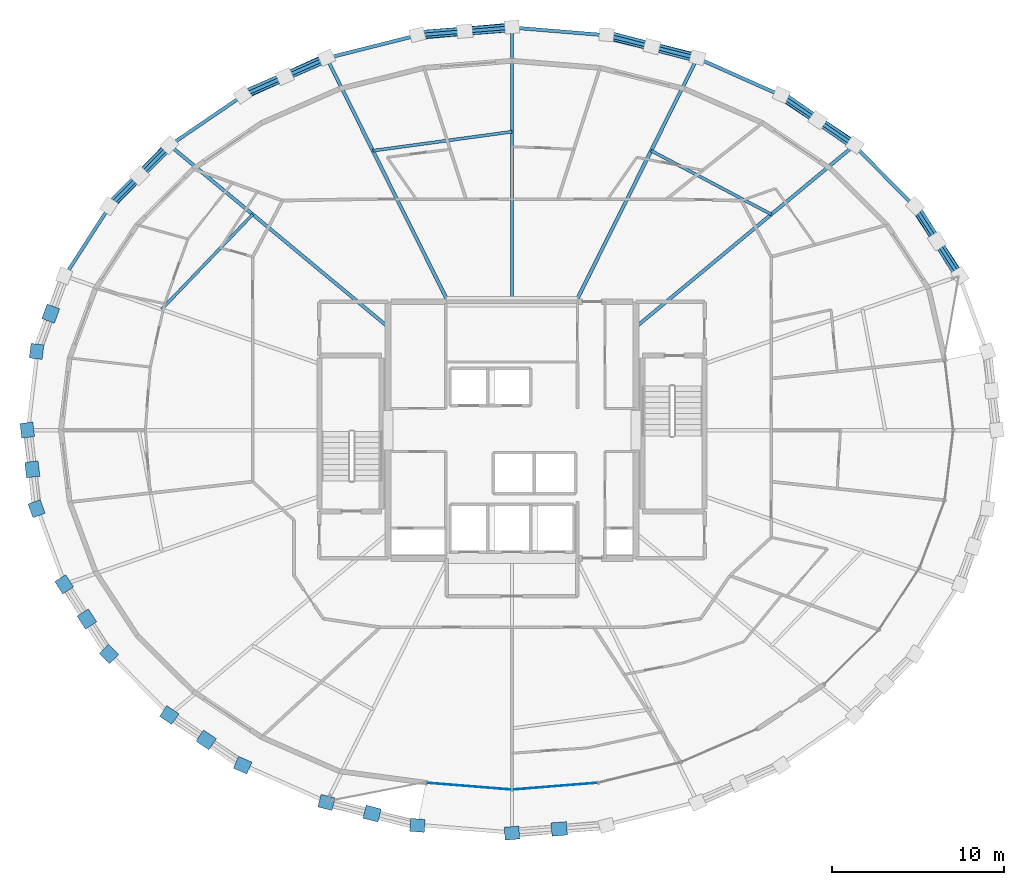
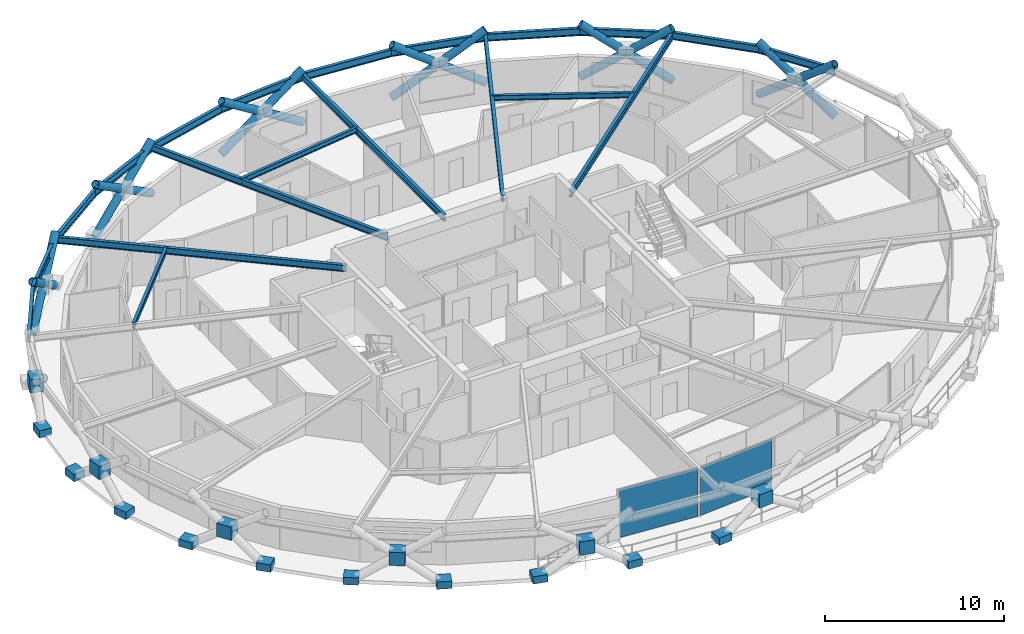
# One storey, part 12 of 19: 20 beams, 18 members, 18 plates, 1 element without a shape of its own.
"""IFC4 building model written with IfcOpenShell, lengths in metres."""

import ifcopenshell
import ifcopenshell.guid

model = None  # the IFC model being written
_history = None  # IfcOwnerHistory: only IFC2X3 demands one
_inside = {}  # id of a spatial element -> (the spatial element, [elements in it])
_under = {}  # id of a project, library or spatial element -> (it, [spatial elements below it])
_declared = {}  # id of a project -> (the project, [libraries it declares])
_typed = {}  # id of a type object -> (the type object, [elements of that type])
_made_of = {}  # id of a material, layer set ... -> (it, [elements and type objects made of it])


def new_model(schema):
    """Start an empty IFC model of exactly this schema.

    Asked for "IFC4X3", IfcOpenShell would pick the latest addendum, in which some entities
    have other attributes; the version numbers below select the first issue.
    IFC2X3 requires an IfcOwnerHistory on every rooted entity: one is made here for all.
    """
    global model, _history
    if schema == "IFC4X3":
        model = ifcopenshell.file(schema_version=(4, 3, 0, 0))
    else:
        model = ifcopenshell.file(schema=schema)
    _inside.clear()
    _under.clear()
    _declared.clear()
    _typed.clear()
    _made_of.clear()
    _history = None
    if model.schema == "IFC2X3":
        org = make("IfcOrganization", Name="unknown")
        user = make(
            "IfcPersonAndOrganization",
            ThePerson=make("IfcPerson", FamilyName="unknown"),
            TheOrganization=org,
        )
        app = make(
            "IfcApplication",
            ApplicationDeveloper=org,
            Version="unknown",
            ApplicationFullName="unknown",
            ApplicationIdentifier="unknown",
        )
        _history = make(
            "IfcOwnerHistory",
            OwningUser=user,
            OwningApplication=app,
            ChangeAction="ADDED",
            CreationDate=0,
        )
    return model


def make(cls, **values):
    """One entity of the class cls with the attributes given. An attribute that is None is left unset."""
    return model.create_entity(
        cls, **{name: value for name, value in values.items() if value is not None}
    )


def rooted(cls, **values):
    """An entity with a GlobalId (a new one), such as an element, a storey or a relation."""
    return make(cls, GlobalId=ifcopenshell.guid.new(), OwnerHistory=_history, **values)


def si_unit(unit_type, name, prefix=None):
    """IfcSIUnit, for example si_unit("LENGTHUNIT", "METRE", prefix="MILLI")."""
    return make("IfcSIUnit", UnitType=unit_type, Prefix=prefix, Name=name)


def assignment(units):
    """IfcUnitAssignment: the units of a project."""
    return None if units is None else make("IfcUnitAssignment", Units=units)


def point(xyz):
    """IfcCartesianPoint."""
    return None if xyz is None else make("IfcCartesianPoint", Coordinates=xyz)


def direction(xyz):
    """IfcDirection."""
    return None if xyz is None else make("IfcDirection", DirectionRatios=xyz)


def frame(location, z_axis=None, x_axis=None):
    """IfcAxis2Placement3D, a coordinate frame: its origin and axes. An axis left out is left unset."""
    return make(
        "IfcAxis2Placement3D",
        Location=point(location),
        Axis=direction(z_axis),
        RefDirection=direction(x_axis),
    )


def frame_2d(location, x_axis=None):
    """IfcAxis2Placement2D, a coordinate frame in the plane: its origin and x axis."""
    return make(
        "IfcAxis2Placement2D", Location=point(location), RefDirection=direction(x_axis)
    )


def origin():
    """The frame at (0, 0, 0) with its axes left unset."""
    return frame((0.0, 0.0, 0.0))


def origin_2d():
    """The frame at (0, 0) in the plane with its x axis left unset."""
    return frame_2d((0.0, 0.0))


def place(relative_to, where):
    """IfcLocalPlacement: puts the frame where relative to a parent placement (None: the world)."""
    return make(
        "IfcLocalPlacement", PlacementRelTo=relative_to, RelativePlacement=where
    )


def context(
    kind, dimensions, precision=None, world=None, true_north=None, identifier=None
):
    """IfcGeometricRepresentationContext, for example the 3D "Model" context."""
    return make(
        "IfcGeometricRepresentationContext",
        ContextIdentifier=identifier,
        ContextType=kind,
        CoordinateSpaceDimension=dimensions,
        Precision=precision,
        WorldCoordinateSystem=world,
        TrueNorth=true_north,
    )


def subcontext(parent, identifier, kind, view, scale=None):
    """IfcGeometricRepresentationSubContext, for example "Body" below "Model"."""
    return make(
        "IfcGeometricRepresentationSubContext",
        ContextIdentifier=identifier,
        ContextType=kind,
        ParentContext=parent,
        TargetScale=scale,
        TargetView=view,
    )


def project(units=None, contexts=None):
    """IfcProject with its units and contexts."""
    return rooted(
        "IfcProject",
        Name="project",
        RepresentationContexts=contexts,
        UnitsInContext=assignment(units),
    )


def spatial(cls, under=None, at=None, **own):
    """A site, building, storey or space (cls), placed at a placement, below another one or the project."""
    s = rooted(cls, ObjectPlacement=at, **own)
    if under is not None:
        _under.setdefault(under.id(), (under, []))[1].append(s)
    return s


def profile(cls, at=None, kind="AREA", **sizes):
    """A parametric profile (cls). Its sizes go by their IFC names, for example OverallWidth=200.0."""
    return make(cls, ProfileType=kind, Position=at, **sizes)


def rectangle(**sizes):
    """IfcRectangleProfileDef."""
    return profile("IfcRectangleProfileDef", **sizes)


def hollow_circle(**sizes):
    """IfcCircleHollowProfileDef."""
    return profile("IfcCircleHollowProfileDef", **sizes)


def i_section(**sizes):
    """IfcIShapeProfileDef."""
    return profile("IfcIShapeProfileDef", **sizes)


def extrude(swept, where, along, depth):
    """IfcExtrudedAreaSolid: the profile swept, set in the frame where, extruded along a direction by depth."""
    return make(
        "IfcExtrudedAreaSolid",
        SweptArea=swept,
        Position=where,
        ExtrudedDirection=direction(along),
        Depth=depth,
    )


def shape(context_of_items, identifier, shape_type, items):
    """IfcShapeRepresentation: the items that make up one representation, for example the "Body"."""
    return make(
        "IfcShapeRepresentation",
        ContextOfItems=context_of_items,
        RepresentationIdentifier=identifier,
        RepresentationType=shape_type,
        Items=items,
    )


def material(Name=None, Category=None):
    """IfcMaterial."""
    return make("IfcMaterial", Name=Name, Category=Category)


def layer(
    of_material, thickness, ventilated=None, Name=None, Category=None, Priority=None
):
    """IfcMaterialLayer: one layer of a wall or slab, of a material (None: an air gap)."""
    return make(
        "IfcMaterialLayer",
        Material=of_material,
        LayerThickness=thickness,
        IsVentilated=ventilated,
        Name=Name,
        Category=Category,
        Priority=Priority,
    )


def layer_set(layers, Name=None):
    """IfcMaterialLayerSet."""
    return make("IfcMaterialLayerSet", MaterialLayers=layers, LayerSetName=Name)


def material_profile(
    of_material, cross_section, Name=None, Category=None, Priority=None
):
    """IfcMaterialProfile: a cross section and its material."""
    return make(
        "IfcMaterialProfile",
        Name=Name,
        Material=of_material,
        Profile=cross_section,
        Priority=Priority,
        Category=Category,
    )


def profile_set(profiles, Name=None, composite=None):
    """IfcMaterialProfileSet."""
    return make(
        "IfcMaterialProfileSet",
        Name=Name,
        MaterialProfiles=profiles,
        CompositeProfile=composite,
    )


def made_of(thing, what):
    """Note that an element or type object is made of a material, layer set ...; save() writes the relation."""
    if what is not None:
        _made_of.setdefault(what.id(), (what, []))[1].append(thing)
    return thing


def type_object(cls, material=None, **own):
    """A type object (cls), such as IfcWallType, which elements share."""
    return made_of(rooted(cls, **own), material)


def element(
    cls,
    number,
    at=None,
    inside=None,
    cuts=None,
    type_object=None,
    material=None,
    context=None,
    identifier="Body",
    shape_type=None,
    held_by="IfcProductDefinitionShape",
    body=None,
    shapes=None,
    **own,
):
    """One element of the class cls, such as IfcWall. Its Tag is "e" and its number.

    at: its placement. inside: the storey or other place that contains it. cuts: it is an
    opening in that element (IfcRelVoidsElement). A single representation is given by context,
    identifier, shape_type and body (its items); several are given by shapes. held_by: the class
    of the entity that holds the representations. save() writes the other relations.
    """
    e = rooted(cls, Tag="e%d" % number, ObjectPlacement=at, **own)
    if body is not None:
        shapes = [shape(context, identifier, shape_type, body)]
    if shapes is not None:
        e.Representation = make(held_by, Representations=shapes)
    if inside is not None:
        _inside.setdefault(inside.id(), (inside, []))[1].append(e)
    if cuts is not None:
        rooted(
            "IfcRelVoidsElement", RelatingBuildingElement=cuts, RelatedOpeningElement=e
        )
    if type_object is not None:
        _typed.setdefault(type_object.id(), (type_object, []))[1].append(e)
    return made_of(e, material)


def aggregate(whole, parts):
    """IfcRelAggregates: a whole, such as a stair, and the parts it consists of."""
    return rooted("IfcRelAggregates", RelatingObject=whole, RelatedObjects=parts)


def save(model, path):
    """Write the relations noted so far, then the file.

    IfcRelAggregates (storeys below a building ...), IfcRelContainedInSpatialStructure (elements
    in a storey), IfcRelDefinesByType, IfcRelAssociatesMaterial and IfcRelDeclares: one each for
    every whole, place, type object, material and project.
    """
    for whole, parts in _under.values():
        aggregate(whole, parts)
    for where, things in _inside.values():
        rooted(
            "IfcRelContainedInSpatialStructure",
            RelatedElements=things,
            RelatingStructure=where,
        )
    for kind, things in _typed.values():
        rooted("IfcRelDefinesByType", RelatedObjects=things, RelatingType=kind)
    for what, things in _made_of.values():
        rooted("IfcRelAssociatesMaterial", RelatedObjects=things, RelatingMaterial=what)
    for by, libraries in _declared.values():
        rooted("IfcRelDeclares", RelatingContext=by, RelatedDefinitions=libraries)
    model.write(path)


model = new_model("IFC4")

# Units and contexts
model_context = context("Model", 3, precision=1e-05, world=origin(), true_north=direction((0.0, 1.0)))
body_context = subcontext(model_context, "Body", "Model", "MODEL_VIEW")
ifc_project = project(units=[si_unit("LENGTHUNIT", "METRE"), si_unit("AREAUNIT", "SQUARE_METRE"), si_unit("VOLUMEUNIT", "CUBIC_METRE"), si_unit("PLANEANGLEUNIT", "RADIAN"), si_unit("MASSUNIT", "GRAM", prefix="KILO")], contexts=[model_context])

# Site, building, storey
site_placement = place(None, origin())
site = spatial("IfcSite", under=ifc_project, at=site_placement, CompositionType="ELEMENT")
building_placement = place(site_placement, origin())
building = spatial("IfcBuilding", under=site, at=building_placement, Name="Veldorina Hangang Commons", CompositionType="ELEMENT")
storey_placement = place(building_placement, frame((0.0, 0.0, 164.0)))
storey = spatial("IfcBuildingStorey", under=building, at=storey_placement, Name="L42", CompositionType="ELEMENT", Elevation=164.0)

# Beams
ifc_material_1 = material(Name="Steel SM355-TMC", Category="steel")
ifc_material_profile_1 = material_profile(ifc_material_1, i_section(OverallWidth=0.199951171875, OverallDepth=0.449951171875, WebThickness=0.009033203125, FlangeThickness=0.013916015625, FilletRadius=0.01611328125, at=origin_2d()), Name="H-450x200x9x14")
ifc_profile_set_1 = profile_set([ifc_material_profile_1], Name="Steel SM355-TMC")
beam_type_1 = type_object("IfcBeamType", Name="BM-FG450", PredefinedType="BEAM", material=ifc_profile_set_1)
beam_1_placement = place(storey_placement, frame((39.199951171875, 29.988037109375, 3.125), z_axis=(0.768854754689, 0.639423463905, 0.0), x_axis=(-0.639423463905, 0.768854754689, 0.0)))
element("IfcBeam", 1, at=beam_1_placement, inside=storey, type_object=beam_type_1, Name="L42 radial floor girder 03", PredefinedType="BEAM", context=body_context, shape_type="SweptSolid", body=[
    extrude(i_section(OverallWidth=0.199951171875, OverallDepth=0.449951171875, WebThickness=0.009033203125, FlangeThickness=0.013916015625, FilletRadius=0.01611328125, at=origin_2d()), origin(), (0.0, 0.0, 1.0), 16.480224609375),
])
beam_2_placement = place(storey_placement, frame((35.71044921875, 31.449951171875, 3.125), z_axis=(0.445822322888, 0.895121475787, 0.0), x_axis=(-0.895121475787, 0.445822322888, 0.0)))
element("IfcBeam", 2, at=beam_2_placement, inside=storey, type_object=beam_type_1, Name="L42 radial floor girder 04", PredefinedType="BEAM", context=body_context, shape_type="SweptSolid", body=[
    extrude(i_section(OverallWidth=0.199951171875, OverallDepth=0.449951171875, WebThickness=0.009033203125, FlangeThickness=0.013916015625, FilletRadius=0.01611328125, at=origin_2d()), origin(), (0.0, 0.0, 1.0), 15.79931640625),
])
beam_3_placement = place(storey_placement, frame((32.0, 31.449951171875, 3.125), z_axis=(0.0, 1.0, 0.0), x_axis=(-1.0, 0.0, 0.0)))
element("IfcBeam", 3, at=beam_3_placement, inside=storey, type_object=beam_type_1, Name="L42 radial floor girder 05", PredefinedType="BEAM", context=body_context, shape_type="SweptSolid", body=[
    extrude(i_section(OverallWidth=0.199951171875, OverallDepth=0.449951171875, WebThickness=0.009033203125, FlangeThickness=0.013916015625, FilletRadius=0.01611328125, at=origin_2d()), origin(), (0.0, 0.0, 1.0), 15.92138671875),
])
beam_4_placement = place(storey_placement, frame((28.28955078125, 31.449951171875, 3.125), z_axis=(-0.445822322888, 0.895121475787, 0.0), x_axis=(-0.895121475787, -0.445822322888, 0.0)))
element("IfcBeam", 4, at=beam_4_placement, inside=storey, type_object=beam_type_1, Name="L42 radial floor girder 06", PredefinedType="BEAM", context=body_context, shape_type="SweptSolid", body=[
    extrude(i_section(OverallWidth=0.199951171875, OverallDepth=0.449951171875, WebThickness=0.009033203125, FlangeThickness=0.013916015625, FilletRadius=0.01611328125, at=origin_2d()), origin(), (0.0, 0.0, 1.0), 15.79931640625),
])
beam_5_placement = place(storey_placement, frame((24.800048828125, 29.988037109375, 3.125), z_axis=(-0.768854754689, 0.639423463905, 0.0), x_axis=(-0.639423463905, -0.768854754689, 0.0)))
element("IfcBeam", 5, at=beam_5_placement, inside=storey, type_object=beam_type_1, Name="L42 radial floor girder 07", PredefinedType="BEAM", context=body_context, shape_type="SweptSolid", body=[
    extrude(i_section(OverallWidth=0.199951171875, OverallDepth=0.449951171875, WebThickness=0.009033203125, FlangeThickness=0.013916015625, FilletRadius=0.01611328125, at=origin_2d()), origin(), (0.0, 0.0, 1.0), 16.480224609375),
])
ifc_material_profile_2 = material_profile(ifc_material_1, i_section(OverallWidth=0.175048828125, OverallDepth=0.35009765625, WebThickness=0.007080078125, FlangeThickness=0.010986328125, FilletRadius=0.012939453125, at=origin_2d()), Name="H-350x175x7x11")
ifc_profile_set_2 = profile_set([ifc_material_profile_2], Name="Steel SM355-TMC")
beam_type_2 = type_object("IfcBeamType", Name="BM-JST350", PredefinedType="JOIST", material=ifc_profile_set_2)
beam_6_placement = place(storey_placement, frame((47.055908203125, 36.521484375, 3.175048828125), z_axis=(-0.883669074698, 0.46811213018, 0.0), x_axis=(-0.46811213018, -0.883669074698, 0.0)))
element("IfcBeam", 6, at=beam_6_placement, inside=storey, type_object=beam_type_2, Name="L42 secondary floor joist 03", PredefinedType="JOIST", context=body_context, shape_type="SweptSolid", body=[
    extrude(i_section(OverallWidth=0.175048828125, OverallDepth=0.35009765625, WebThickness=0.007080078125, FlangeThickness=0.010986328125, FilletRadius=0.012939453125, at=origin_2d()), origin(), (0.0, 0.0, 1.0), 7.897216796875),
])
beam_7_placement = place(storey_placement, frame((32.0, 41.3212890625, 3.175048828125), z_axis=(-0.99080445503, -0.135301633001, 0.0), x_axis=(0.135301633001, -0.99080445503, 0.0)))
element("IfcBeam", 7, at=beam_7_placement, inside=storey, type_object=beam_type_2, Name="L42 secondary floor joist 05", PredefinedType="JOIST", context=body_context, shape_type="SweptSolid", body=[
    extrude(i_section(OverallWidth=0.175048828125, OverallDepth=0.35009765625, WebThickness=0.007080078125, FlangeThickness=0.010986328125, FilletRadius=0.012939453125, at=origin_2d()), origin(), (0.0, 0.0, 1.0), 8.15234375),
])
beam_8_placement = place(storey_placement, frame((16.944091796875, 36.521484375, 3.175048828125), z_axis=(-0.692335567342, -0.721575680156, 0.0), x_axis=(0.721575680156, -0.692335567342, 0.0)))
element("IfcBeam", 8, at=beam_8_placement, inside=storey, type_object=beam_type_2, Name="L42 secondary floor joist 07", PredefinedType="JOIST", context=body_context, shape_type="SweptSolid", body=[
    extrude(i_section(OverallWidth=0.175048828125, OverallDepth=0.35009765625, WebThickness=0.007080078125, FlangeThickness=0.010986328125, FilletRadius=0.012939453125, at=origin_2d()), origin(), (0.0, 0.0, 1.0), 7.639892578125),
])
ifc_material_2 = material(Name="Steel SM420-TMC", Category="steel")
ifc_material_profile_3 = material_profile(ifc_material_2, i_section(OverallWidth=0.199951171875, OverallDepth=0.5, WebThickness=0.010009765625, FlangeThickness=0.01611328125, FilletRadius=0.01611328125, at=origin_2d()), Name="H-500x200x10x16")
ifc_profile_set_3 = profile_set([ifc_material_profile_3], Name="Steel SM420-TMC")
beam_type_3 = type_object("IfcBeamType", Name="BM-RB500", PredefinedType="BEAM", material=ifc_profile_set_3)
beam_9_placement = place(storey_placement, frame((57.962646484375, 32.94384765625, 3.10009765625), z_axis=(-0.540675380429, 0.841231319554, 0.0), x_axis=(-0.841231319554, -0.540675380429, 0.0)))
element("IfcBeam", 9, at=beam_9_placement, inside=storey, type_object=beam_type_3, Name="L42 perimeter hoop ring beam 02", PredefinedType="BEAM", context=body_context, shape_type="SweptSolid", body=[
    extrude(i_section(OverallWidth=0.199951171875, OverallDepth=0.5, WebThickness=0.010009765625, FlangeThickness=0.01611328125, FilletRadius=0.01611328125, at=origin_2d()), origin(), (0.0, 0.0, 1.0), 4.80322265625),
])
beam_10_placement = place(storey_placement, frame((55.36572265625, 36.984375, 3.10009765625), z_axis=(-0.702405281063, 0.711777227182, 0.0), x_axis=(-0.711777227182, -0.702405281063, 0.0)))
element("IfcBeam", 10, at=beam_10_placement, inside=storey, type_object=beam_type_3, Name="L42 perimeter hoop ring beam 03", PredefinedType="BEAM", context=body_context, shape_type="SweptSolid", body=[
    extrude(i_section(OverallWidth=0.199951171875, OverallDepth=0.5, WebThickness=0.010009765625, FlangeThickness=0.01611328125, FilletRadius=0.01611328125, at=origin_2d()), origin(), (0.0, 0.0, 1.0), 4.9755859375),
])
beam_11_placement = place(storey_placement, frame((51.870849609375, 40.52587890625, 3.10009765625), z_axis=(-0.825924674368, 0.563780482343, 0.0), x_axis=(-0.563780482343, -0.825924674368, 0.0)))
element("IfcBeam", 11, at=beam_11_placement, inside=storey, type_object=beam_type_3, Name="L42 perimeter hoop ring beam 04", PredefinedType="BEAM", context=body_context, shape_type="SweptSolid", body=[
    extrude(i_section(OverallWidth=0.199951171875, OverallDepth=0.5, WebThickness=0.010009765625, FlangeThickness=0.01611328125, FilletRadius=0.01611328125, at=origin_2d()), origin(), (0.0, 0.0, 1.0), 5.15576171875),
])
beam_12_placement = place(storey_placement, frame((47.612548828125, 43.4326171875, 3.10009765625), z_axis=(-0.913785036824, 0.406198112349, 0.0), x_axis=(-0.406198112349, -0.913785036824, 0.0)))
element("IfcBeam", 12, at=beam_12_placement, inside=storey, type_object=beam_type_3, Name="L42 perimeter hoop ring beam 05", PredefinedType="BEAM", context=body_context, shape_type="SweptSolid", body=[
    extrude(i_section(OverallWidth=0.199951171875, OverallDepth=0.5, WebThickness=0.010009765625, FlangeThickness=0.01611328125, FilletRadius=0.01611328125, at=origin_2d()), origin(), (0.0, 0.0, 1.0), 5.31689453125),
])
beam_13_placement = place(storey_placement, frame((42.754150390625, 45.59228515625, 3.10009765625), z_axis=(-0.969625230059, 0.244595407221, 0.0), x_axis=(-0.244595407221, -0.969625230059, 0.0)))
element("IfcBeam", 13, at=beam_13_placement, inside=storey, type_object=beam_type_3, Name="L42 perimeter hoop ring beam 06", PredefinedType="BEAM", context=body_context, shape_type="SweptSolid", body=[
    extrude(i_section(OverallWidth=0.199951171875, OverallDepth=0.5, WebThickness=0.010009765625, FlangeThickness=0.01611328125, FilletRadius=0.01611328125, at=origin_2d()), origin(), (0.0, 0.0, 1.0), 5.436767578125),
])
for number, where, z_axis, x_axis, name in (
    (14, (37.482421875, 46.922119140625, 3.10009765625), (-0.996659890423, 0.081664330174, 0.0), (-0.081664330174, -0.996659890423, 0.0), "L42 perimeter hoop ring beam 07"),
    (15, (32.0, 47.371337890625, 3.10009765625), (-0.996659890423, -0.081664330174, 0.0), (0.081664330174, -0.996659890423, 0.0), "L42 perimeter hoop ring beam 08"),
):
    element("IfcBeam", number, at=place(storey_placement, frame(where, z_axis=z_axis, x_axis=x_axis)), inside=storey, type_object=beam_type_3, Name=name, PredefinedType="BEAM", context=body_context, shape_type="SweptSolid", body=[
        extrude(i_section(OverallWidth=0.199951171875, OverallDepth=0.5, WebThickness=0.010009765625, FlangeThickness=0.01611328125, FilletRadius=0.01611328125, at=origin_2d()), origin(), (0.0, 0.0, 1.0), 5.500732421875),
    ])
beam_14_placement = place(storey_placement, frame((26.517578125, 46.922119140625, 3.10009765625), z_axis=(-0.969625230059, -0.244595407221, 0.0), x_axis=(0.244595407221, -0.969625230059, 0.0)))
element("IfcBeam", 16, at=beam_14_placement, inside=storey, type_object=beam_type_3, Name="L42 perimeter hoop ring beam 09", PredefinedType="BEAM", context=body_context, shape_type="SweptSolid", body=[
    extrude(i_section(OverallWidth=0.199951171875, OverallDepth=0.5, WebThickness=0.010009765625, FlangeThickness=0.01611328125, FilletRadius=0.01611328125, at=origin_2d()), origin(), (0.0, 0.0, 1.0), 5.436767578125),
])
beam_15_placement = place(storey_placement, frame((21.245849609375, 45.59228515625, 3.10009765625), z_axis=(-0.913785036824, -0.406198112349, 0.0), x_axis=(0.406198112349, -0.913785036824, 0.0)))
element("IfcBeam", 17, at=beam_15_placement, inside=storey, type_object=beam_type_3, Name="L42 perimeter hoop ring beam 10", PredefinedType="BEAM", context=body_context, shape_type="SweptSolid", body=[
    extrude(i_section(OverallWidth=0.199951171875, OverallDepth=0.5, WebThickness=0.010009765625, FlangeThickness=0.01611328125, FilletRadius=0.01611328125, at=origin_2d()), origin(), (0.0, 0.0, 1.0), 5.31689453125),
])
beam_16_placement = place(storey_placement, frame((16.387451171875, 43.4326171875, 3.10009765625), z_axis=(-0.825924674368, -0.563780482343, 0.0), x_axis=(0.563780482343, -0.825924674368, 0.0)))
element("IfcBeam", 18, at=beam_16_placement, inside=storey, type_object=beam_type_3, Name="L42 perimeter hoop ring beam 11", PredefinedType="BEAM", context=body_context, shape_type="SweptSolid", body=[
    extrude(i_section(OverallWidth=0.199951171875, OverallDepth=0.5, WebThickness=0.010009765625, FlangeThickness=0.01611328125, FilletRadius=0.01611328125, at=origin_2d()), origin(), (0.0, 0.0, 1.0), 5.15576171875),
])
beam_17_placement = place(storey_placement, frame((12.129150390625, 40.52587890625, 3.10009765625), z_axis=(-0.702405281063, -0.711777227182, 0.0), x_axis=(0.711777227182, -0.702405281063, 0.0)))
element("IfcBeam", 19, at=beam_17_placement, inside=storey, type_object=beam_type_3, Name="L42 perimeter hoop ring beam 12", PredefinedType="BEAM", context=body_context, shape_type="SweptSolid", body=[
    extrude(i_section(OverallWidth=0.199951171875, OverallDepth=0.5, WebThickness=0.010009765625, FlangeThickness=0.01611328125, FilletRadius=0.01611328125, at=origin_2d()), origin(), (0.0, 0.0, 1.0), 4.9755859375),
])
beam_18_placement = place(storey_placement, frame((8.63427734375, 36.984375, 3.10009765625), z_axis=(-0.540675380429, -0.841231319554, 0.0), x_axis=(0.841231319554, -0.540675380429, 0.0)))
element("IfcBeam", 20, at=beam_18_placement, inside=storey, type_object=beam_type_3, Name="L42 perimeter hoop ring beam 13", PredefinedType="BEAM", context=body_context, shape_type="SweptSolid", body=[
    extrude(i_section(OverallWidth=0.199951171875, OverallDepth=0.5, WebThickness=0.010009765625, FlangeThickness=0.01611328125, FilletRadius=0.01611328125, at=origin_2d()), origin(), (0.0, 0.0, 1.0), 4.80322265625),
])

# Members
ifc_material_profile_4 = material_profile(ifc_material_2, hollow_circle(Radius=0.25, WallThickness=0.02490234375, at=origin_2d()), Name="CHS-500x25")
ifc_profile_set_4 = profile_set([ifc_material_profile_4], Name="Steel SM420-TMC")
member_type = type_object("IfcMemberType", Name="DG-CHS500", PredefinedType="BRACE", material=ifc_profile_set_4)
member_1_placement = place(storey_placement, frame((58.0, 32.95458984375, 0.0), z_axis=(-0.439052139147, 0.669826584835, 0.598803444679), x_axis=(-0.83634650219, -0.548201175003, 0.0)))
element("IfcMember", 21, at=member_1_placement, inside=storey, type_object=member_type, Name="L42 continuous perimeter diagrid brace 02", PredefinedType="BRACE", context=body_context, shape_type="SweptSolid", body=[
    extrude(hollow_circle(Radius=0.25, WallThickness=0.02490234375, at=origin_2d()), origin(), (0.0, 0.0, 1.0), 6.01220703125),
])
member_2_placement = place(storey_placement, frame((55.3994140625, 37.0, 0.0), z_axis=(0.42649004891, -0.676591233639, 0.600275387421), x_axis=(0.845957526067, 0.533250282785, 0.0)))
element("IfcMember", 22, at=member_2_placement, inside=storey, type_object=member_type, Name="L42 split perimeter diagrid lower brace 03", PredefinedType="BRACE", context=body_context, shape_type="SweptSolid", body=[
    extrude(hollow_circle(Radius=0.25, WallThickness=0.02490234375, at=origin_2d()), origin(), (0.0, 0.0, 1.0), 3.000732421875),
])
member_3_placement = place(storey_placement, frame((56.67919921875, 34.9697265625, 1.80126953125), z_axis=(0.426267177286, -0.676715438559, 0.600293685444), x_axis=(0.846127351641, 0.532980773391, 0.0)))
element("IfcMember", 23, at=member_3_placement, inside=storey, type_object=member_type, Name="L42 split perimeter diagrid upper brace 03", PredefinedType="BRACE", context=body_context, shape_type="SweptSolid", body=[
    extrude(hollow_circle(Radius=0.25, WallThickness=0.02490234375, at=origin_2d()), origin(), (0.0, 0.0, 1.0), 2.99658203125),
])
member_4_placement = place(storey_placement, frame((51.8994140625, 40.5458984375, 0.0), z_axis=(-0.681122446817, 0.457647311484, 0.571516535835), x_axis=(-0.557704828538, -0.83003935101, 0.0)))
element("IfcMember", 24, at=member_4_placement, inside=storey, type_object=member_type, Name="L42 continuous perimeter diagrid brace 04", PredefinedType="BRACE", context=body_context, shape_type="SweptSolid", body=[
    extrude(hollow_circle(Radius=0.25, WallThickness=0.02490234375, at=origin_2d()), origin(), (0.0, 0.0, 1.0), 6.29931640625),
])
member_5_placement = place(storey_placement, frame((47.635009765625, 43.4560546875, 0.0), z_axis=(0.673555766998, -0.466821597535, 0.573062147432), x_axis=(0.569633693248, 0.821898689326, 0.0)))
element("IfcMember", 25, at=member_5_placement, inside=storey, type_object=member_type, Name="L42 split perimeter diagrid lower brace 05", PredefinedType="BRACE", context=body_context, shape_type="SweptSolid", body=[
    extrude(hollow_circle(Radius=0.25, WallThickness=0.02490234375, at=origin_2d()), origin(), (0.0, 0.0, 1.0), 3.1435546875),
])
member_6_placement = place(storey_placement, frame((49.75244140625, 41.988525390625, 1.801513671875), z_axis=(0.673449812976, -0.467012321218, 0.573031274219), x_axis=(0.56985141037, 0.821747753328, 0.0)))
element("IfcMember", 26, at=member_6_placement, inside=storey, type_object=member_type, Name="L42 split perimeter diagrid upper brace 05", PredefinedType="BRACE", context=body_context, shape_type="SweptSolid", body=[
    extrude(hollow_circle(Radius=0.25, WallThickness=0.02490234375, at=origin_2d()), origin(), (0.0, 0.0, 1.0), 3.138671875),
])
member_7_placement = place(storey_placement, frame((42.76953125, 45.618408203125, 0.0), z_axis=(-0.81009409617, 0.199036091585, 0.551481812572), x_axis=(-0.238598913298, -0.971118200104, 0.0)))
element("IfcMember", 27, at=member_7_placement, inside=storey, type_object=member_type, Name="L42 continuous perimeter diagrid brace 06", PredefinedType="BRACE", context=body_context, shape_type="SweptSolid", body=[
    extrude(hollow_circle(Radius=0.25, WallThickness=0.02490234375, at=origin_2d()), origin(), (0.0, 0.0, 1.0), 6.528076171875),
])
member_8_placement = place(storey_placement, frame((37.490234375, 46.949951171875, 0.0), z_axis=(0.807111390077, -0.208868603589, 0.552218353953), x_axis=(0.250532234446, 0.968108258153, 0.0)))
element("IfcMember", 28, at=member_8_placement, inside=storey, type_object=member_type, Name="L42 split perimeter diagrid lower brace 07", PredefinedType="BRACE", context=body_context, shape_type="SweptSolid", body=[
    extrude(hollow_circle(Radius=0.25, WallThickness=0.02490234375, at=origin_2d()), origin(), (0.0, 0.0, 1.0), 3.26220703125),
])
member_9_placement = place(storey_placement, frame((40.123291015625, 46.2685546875, 1.801513671875), z_axis=(0.807053757964, -0.208997387814, 0.552253857971), x_axis=(0.250693779484, 0.968066438282, 0.0)))
element("IfcMember", 29, at=member_9_placement, inside=storey, type_object=member_type, Name="L42 split perimeter diagrid upper brace 07", PredefinedType="BRACE", context=body_context, shape_type="SweptSolid", body=[
    extrude(hollow_circle(Radius=0.25, WallThickness=0.02490234375, at=origin_2d()), origin(), (0.0, 0.0, 1.0), 3.2568359375),
])
member_10_placement = place(storey_placement, frame((32.0, 47.3994140625, 0.0), z_axis=(-0.8335881083, -0.073255950188, 0.547507471605), x_axis=(0.08754287846, -0.996160752304, 0.0)))
element("IfcMember", 30, at=member_10_placement, inside=storey, type_object=member_type, Name="L42 continuous perimeter diagrid brace 08", PredefinedType="BRACE", context=body_context, shape_type="SweptSolid", body=[
    extrude(hollow_circle(Radius=0.25, WallThickness=0.02490234375, at=origin_2d()), origin(), (0.0, 0.0, 1.0), 6.575439453125),
])
member_11_placement = place(storey_placement, frame((26.509765625, 46.949951171875, 0.0), z_axis=(0.834565966843, 0.063335940255, 0.5472551559), x_axis=(-0.075673269167, 0.997132667369, 0.0)))
element("IfcMember", 31, at=member_11_placement, inside=storey, type_object=member_type, Name="L42 split perimeter diagrid lower brace 09", PredefinedType="BRACE", context=body_context, shape_type="SweptSolid", body=[
    extrude(hollow_circle(Radius=0.25, WallThickness=0.02490234375, at=origin_2d()), origin(), (0.0, 0.0, 1.0), 3.2919921875),
])
member_12_placement = place(storey_placement, frame((29.257080078125, 47.158447265625, 1.801513671875), z_axis=(0.83457120422, 0.063363528011, 0.547243975211), x_axis=(-0.075705569546, 0.997130215538, 0.0)))
element("IfcMember", 32, at=member_12_placement, inside=storey, type_object=member_type, Name="L42 split perimeter diagrid upper brace 09", PredefinedType="BRACE", context=body_context, shape_type="SweptSolid", body=[
    extrude(hollow_circle(Radius=0.25, WallThickness=0.02490234375, at=origin_2d()), origin(), (0.0, 0.0, 1.0), 3.28662109375),
])
member_13_placement = place(storey_placement, frame((21.23046875, 45.618408203125, 0.0), z_axis=(-0.754174026006, -0.341246435236, 0.561045817146), x_axis=(0.412240543876, -0.911075043004, 0.0)))
element("IfcMember", 33, at=member_13_placement, inside=storey, type_object=member_type, Name="L42 continuous perimeter diagrid brace 10", PredefinedType="BRACE", context=body_context, shape_type="SweptSolid", body=[
    extrude(hollow_circle(Radius=0.25, WallThickness=0.02490234375, at=origin_2d()), origin(), (0.0, 0.0, 1.0), 6.416748046875),
])
member_14_placement = place(storey_placement, frame((16.364990234375, 43.4560546875, 0.0), z_axis=(0.759428324546, 0.331462772222, 0.559822338344), x_axis=(-0.400021368254, 0.916505812824, 0.0)))
element("IfcMember", 34, at=member_14_placement, inside=storey, type_object=member_type, Name="L42 split perimeter diagrid lower brace 11", PredefinedType="BRACE", context=body_context, shape_type="SweptSolid", body=[
    extrude(hollow_circle(Radius=0.25, WallThickness=0.02490234375, at=origin_2d()), origin(), (0.0, 0.0, 1.0), 3.218017578125),
])
member_15_placement = place(storey_placement, frame((18.808837890625, 44.522705078125, 1.801513671875), z_axis=(0.759351807406, 0.331570449931, 0.559862366409), x_axis=(-0.400164378532, 0.916443380768, 0.0)))
element("IfcMember", 35, at=member_15_placement, inside=storey, type_object=member_type, Name="L42 split perimeter diagrid upper brace 11", PredefinedType="BRACE", context=body_context, shape_type="SweptSolid", body=[
    extrude(hollow_circle(Radius=0.25, WallThickness=0.02490234375, at=origin_2d()), origin(), (0.0, 0.0, 1.0), 3.212646484375),
])
member_16_placement = place(storey_placement, frame((12.1005859375, 40.5458984375, 0.0), z_axis=(-0.564098877398, -0.580931116756, 0.586780618377), x_axis=(0.717423922543, -0.696636860468, 0.0)))
element("IfcMember", 36, at=member_16_placement, inside=storey, type_object=member_type, Name="L42 continuous perimeter diagrid brace 12", PredefinedType="BRACE", context=body_context, shape_type="SweptSolid", body=[
    extrude(hollow_circle(Radius=0.25, WallThickness=0.02490234375, at=origin_2d()), origin(), (0.0, 0.0, 1.0), 6.13525390625),
])
member_17_placement = place(storey_placement, frame((8.6005859375, 37.0, 0.0), z_axis=(0.574362741312, 0.572459565032, 0.585147406895), x_axis=(-0.705932350205, 0.708279264792, 0.0)))
element("IfcMember", 37, at=member_17_placement, inside=storey, type_object=member_type, Name="L42 split perimeter diagrid lower brace 13", PredefinedType="BRACE", context=body_context, shape_type="SweptSolid", body=[
    extrude(hollow_circle(Radius=0.25, WallThickness=0.02490234375, at=origin_2d()), origin(), (0.0, 0.0, 1.0), 3.07861328125),
])
member_18_placement = place(storey_placement, frame((10.368896484375, 38.762451171875, 1.801513671875), z_axis=(0.574172948237, 0.572663847944, 0.585133781943), x_axis=(-0.706175701704, 0.708036636286, 0.0)))
element("IfcMember", 38, at=member_18_placement, inside=storey, type_object=member_type, Name="L42 split perimeter diagrid upper brace 13", PredefinedType="BRACE", context=body_context, shape_type="SweptSolid", body=[
    extrude(hollow_circle(Radius=0.25, WallThickness=0.02490234375, at=origin_2d()), origin(), (0.0, 0.0, 1.0), 3.07373046875),
])

# Curtain wall, plates
ifc_material_3 = material(Name="Glass Low-E Triple IGU", Category="glass")
ifc_layer_1 = layer(ifc_material_3, 0.179931640625)
ifc_layer_set_1 = layer_set([ifc_layer_1], Name="Glass Low-E Triple IGU")
curtain_wall_type = type_object("IfcCurtainWallType", Name="CW-SYS-Z2", PredefinedType="NOTDEFINED", material=ifc_layer_set_1)
curtain_wall_placement = place(storey_placement, origin())
curtain_wall = element("IfcCurtainWall", 39, at=curtain_wall_placement, inside=storey, type_object=curtain_wall_type, Name="L42 unitised curtain wall CW-L42-R1", PredefinedType="NOTDEFINED")
ifc_layer_2 = layer(ifc_material_3, 0.0400390625)
ifc_layer_set_2 = layer_set([ifc_layer_2], Name="Glass Low-E Triple IGU")
plate_type_1 = type_object("IfcPlateType", Name="CW-PNL-VIS", PredefinedType="CURTAIN_PANEL", material=ifc_layer_set_2)
plate_1_placement = place(storey_placement, frame((29.500732421875, 3.321044921875, 0.01513671875), z_axis=(0.0, 0.0, 1.0), x_axis=(0.996794257174, -0.080007555045, 0.0)))
plate_1 = element("IfcPlate", 40, at=plate_1_placement, type_object=plate_type_1, Name="CW-L42-R1 facet 1 glazed vision panel", PredefinedType="CURTAIN_PANEL", context=body_context, shape_type="SweptSolid", body=[
    extrude(rectangle(XDim=4.834716796875, YDim=0.0400390625, at=origin_2d()), origin(), (0.0, 0.0, 1.0), 3.280029296875),
])
plate_2_placement = place(storey_placement, frame((34.499267578125, 3.321044921875, 0.01513671875), z_axis=(0.0, 0.0, 1.0), x_axis=(0.996794257174, 0.080007555045, 0.0)))
plate_2 = element("IfcPlate", 41, at=plate_2_placement, type_object=plate_type_1, Name="CW-L42-R1 facet 2 glazed vision panel", PredefinedType="CURTAIN_PANEL", context=body_context, shape_type="SweptSolid", body=[
    extrude(rectangle(XDim=4.834716796875, YDim=0.0400390625, at=origin_2d()), origin(), (0.0, 0.0, 1.0), 3.280029296875),
])
aggregate(curtain_wall, [plate_1, plate_2])

# Plates
ifc_material_4 = material(Name="Steel SM460-TMC", Category="steel")
ifc_layer_3 = layer(ifc_material_4, 0.035888671875)
ifc_layer_set_3 = layer_set([ifc_layer_3], Name="Steel SM460-TMC")
plate_type_2 = type_object("IfcPlateType", Name="PL-STAR-36", PredefinedType="USERDEFINED", material=ifc_layer_set_3)
plate_3_placement = place(storey_placement, frame((5.2216796875, 30.7548828125, 1.351318359375), z_axis=(0.0, 0.0, 1.0), x_axis=(-0.342741674532, -0.93942969111, 0.0)))
element("IfcPlate", 42, at=plate_3_placement, inside=storey, type_object=plate_type_2, Name="L42 diagrid X-crossing star-node gusset plate 14", ObjectType="GUSSET PLATE", PredefinedType="USERDEFINED", context=body_context, shape_type="SweptSolid", body=[
    extrude(rectangle(XDim=0.89990234375, YDim=0.780029296875, at=origin_2d()), origin(), (0.0, 0.0, 1.0), 0.89990234375),
])
for number, where, z_axis, x_axis, name in (
    (43, (4.3984375, 28.56494140625, -0.090087890625), (0.0, 0.0, 1.0), (-0.117624058582, -0.993058196101, 0.0), "L42 diagrid star-node gusset plate 15"),
    (44, (3.85791015625, 24.0, -0.090087890625), (0.0, 0.0, 1.0), (0.117624058582, -0.993058196101, 0.0), "L42 diagrid star-node gusset plate 16"),
):
    element("IfcPlate", number, at=place(storey_placement, frame(where, z_axis=z_axis, x_axis=x_axis)), inside=storey, type_object=plate_type_2, Name=name, ObjectType="GUSSET PLATE", PredefinedType="USERDEFINED", context=body_context, shape_type="SweptSolid", body=[
        extrude(rectangle(XDim=0.85009765625, YDim=0.75, at=origin_2d()), origin(), (0.0, 0.0, 1.0), 0.5),
    ])
plate_4_placement = place(storey_placement, frame((4.1513671875, 21.718994140625, 1.351318359375), z_axis=(0.0, 0.0, 1.0), x_axis=(0.117624058582, -0.993058196101, 0.0)))
element("IfcPlate", 45, at=plate_4_placement, inside=storey, type_object=plate_type_2, Name="L42 diagrid X-crossing star-node gusset plate 16", ObjectType="GUSSET PLATE", PredefinedType="USERDEFINED", context=body_context, shape_type="SweptSolid", body=[
    extrude(rectangle(XDim=0.89990234375, YDim=0.780029296875, at=origin_2d()), origin(), (0.0, 0.0, 1.0), 0.89990234375),
])
for number, where, z_axis, x_axis, name in (
    (46, (4.3984375, 19.43505859375, -0.090087890625), (0.0, 0.0, 1.0), (0.342741674532, -0.93942969111, 0.0), "L42 diagrid star-node gusset plate 17"),
    (47, (6.0, 15.04541015625, -0.090087890625), (0.0, 0.0, 1.0), (0.540739587879, -0.841190048741, 0.0), "L42 diagrid star-node gusset plate 18"),
):
    element("IfcPlate", number, at=place(storey_placement, frame(where, z_axis=z_axis, x_axis=x_axis)), inside=storey, type_object=plate_type_2, Name=name, ObjectType="GUSSET PLATE", PredefinedType="USERDEFINED", context=body_context, shape_type="SweptSolid", body=[
        extrude(rectangle(XDim=0.85009765625, YDim=0.75, at=origin_2d()), origin(), (0.0, 0.0, 1.0), 0.5),
    ])
plate_5_placement = place(storey_placement, frame((7.32080078125, 13.0302734375, 1.351318359375), z_axis=(0.0, 0.0, 1.0), x_axis=(0.540739587879, -0.841190048741, 0.0)))
element("IfcPlate", 48, at=plate_5_placement, inside=storey, type_object=plate_type_2, Name="L42 diagrid X-crossing star-node gusset plate 18", ObjectType="GUSSET PLATE", PredefinedType="USERDEFINED", context=body_context, shape_type="SweptSolid", body=[
    extrude(rectangle(XDim=0.89990234375, YDim=0.780029296875, at=origin_2d()), origin(), (0.0, 0.0, 1.0), 0.89990234375),
])
for number, where, z_axis, x_axis, name in (
    (49, (8.6005859375, 11.0, -0.090087890625), (0.0, 0.0, 1.0), (0.70248850939, -0.711695085114, 0.0), "L42 diagrid star-node gusset plate 19"),
    (50, (12.1005859375, 7.4541015625, -0.090087890625), (0.0, 0.0, 1.0), (0.825999928064, -0.563670221706, 0.0), "L42 diagrid star-node gusset plate 20"),
):
    element("IfcPlate", number, at=place(storey_placement, frame(where, z_axis=z_axis, x_axis=x_axis)), inside=storey, type_object=plate_type_2, Name=name, ObjectType="GUSSET PLATE", PredefinedType="USERDEFINED", context=body_context, shape_type="SweptSolid", body=[
        extrude(rectangle(XDim=0.85009765625, YDim=0.75, at=origin_2d()), origin(), (0.0, 0.0, 1.0), 0.5),
    ])
plate_6_placement = place(storey_placement, frame((14.24755859375, 6.011474609375, 1.3515625), z_axis=(0.0, 0.0, 1.0), x_axis=(0.825999928064, -0.563670221706, 0.0)))
element("IfcPlate", 51, at=plate_6_placement, inside=storey, type_object=plate_type_2, Name="L42 diagrid X-crossing star-node gusset plate 20", ObjectType="GUSSET PLATE", PredefinedType="USERDEFINED", context=body_context, shape_type="SweptSolid", body=[
    extrude(rectangle(XDim=0.89990234375, YDim=0.780029296875, at=origin_2d()), origin(), (0.0, 0.0, 1.0), 0.89990234375),
])
for number, where, z_axis, x_axis, name in (
    (52, (16.364990234375, 4.5439453125, -0.090087890625), (0.0, 0.0, 1.0), (0.913815014661, -0.406130667373, 0.0), "L42 diagrid star-node gusset plate 21"),
    (53, (21.23046875, 2.381591796875, -0.090087890625), (0.0, 0.0, 1.0), (0.969633446565, -0.244562833034, 0.0), "L42 diagrid star-node gusset plate 22"),
):
    element("IfcPlate", number, at=place(storey_placement, frame(where, z_axis=z_axis, x_axis=x_axis)), inside=storey, type_object=plate_type_2, Name=name, ObjectType="GUSSET PLATE", PredefinedType="USERDEFINED", context=body_context, shape_type="SweptSolid", body=[
        extrude(rectangle(XDim=0.85009765625, YDim=0.75, at=origin_2d()), origin(), (0.0, 0.0, 1.0), 0.5),
    ])
plate_7_placement = place(storey_placement, frame((23.876708984375, 1.7314453125, 1.3515625), z_axis=(0.0, 0.0, 1.0), x_axis=(0.969633446565, -0.244562833034, 0.0)))
element("IfcPlate", 54, at=plate_7_placement, inside=storey, type_object=plate_type_2, Name="L42 diagrid X-crossing star-node gusset plate 22", ObjectType="GUSSET PLATE", PredefinedType="USERDEFINED", context=body_context, shape_type="SweptSolid", body=[
    extrude(rectangle(XDim=0.89990234375, YDim=0.780029296875, at=origin_2d()), origin(), (0.0, 0.0, 1.0), 0.89990234375),
])
for number, where, z_axis, x_axis, name in (
    (55, (26.509765625, 1.050048828125, -0.090087890625), (0.0, 0.0, 1.0), (0.996664503857, -0.081608006658, 0.0), "L42 diagrid star-node gusset plate 23"),
    (56, (32.0, 0.6005859375, -0.090087890625), (0.0, 0.0, 1.0), (0.996664503857, 0.081608006658, 0.0), "L42 diagrid star-node gusset plate 24"),
):
    element("IfcPlate", number, at=place(storey_placement, frame(where, z_axis=z_axis, x_axis=x_axis)), inside=storey, type_object=plate_type_2, Name=name, ObjectType="GUSSET PLATE", PredefinedType="USERDEFINED", context=body_context, shape_type="SweptSolid", body=[
        extrude(rectangle(XDim=0.85009765625, YDim=0.75, at=origin_2d()), origin(), (0.0, 0.0, 1.0), 0.5),
    ])
plate_8_placement = place(storey_placement, frame((34.742919921875, 0.841552734375, 1.3515625), z_axis=(0.0, 0.0, 1.0), x_axis=(0.996664503857, 0.081608006658, 0.0)))
element("IfcPlate", 57, at=plate_8_placement, inside=storey, type_object=plate_type_2, Name="L42 diagrid X-crossing star-node gusset plate 24", ObjectType="GUSSET PLATE", PredefinedType="USERDEFINED", context=body_context, shape_type="SweptSolid", body=[
    extrude(rectangle(XDim=0.89990234375, YDim=0.780029296875, at=origin_2d()), origin(), (0.0, 0.0, 1.0), 0.89990234375),
])

save(model, "model.ifc")
